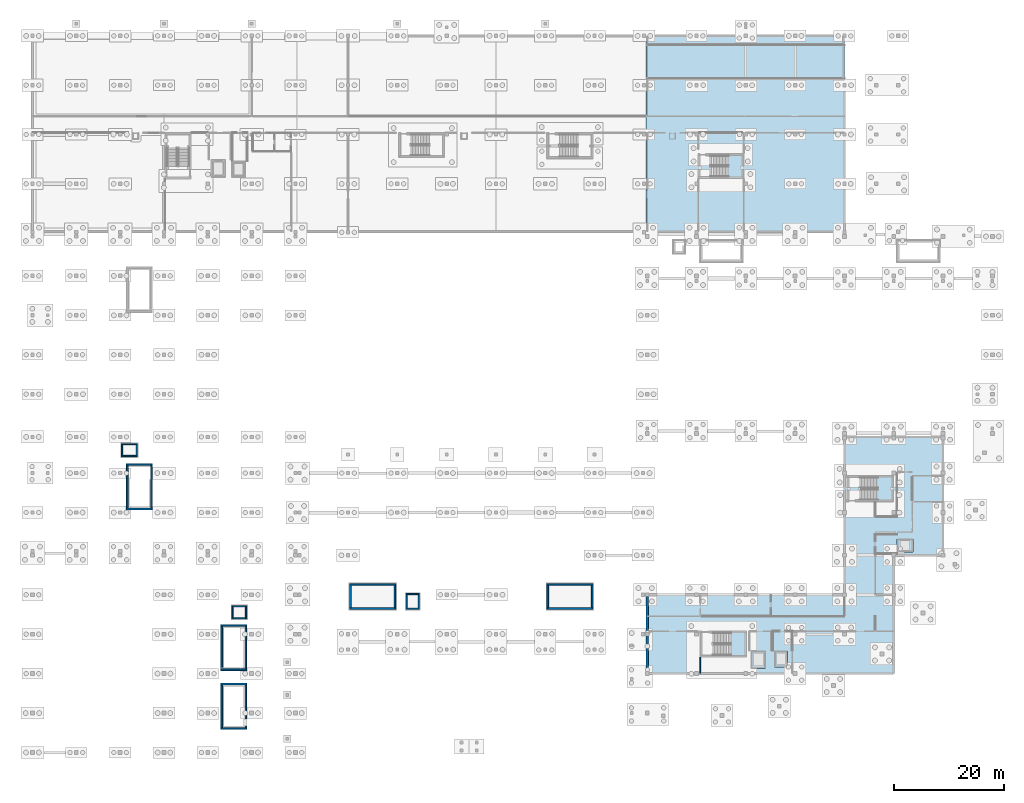
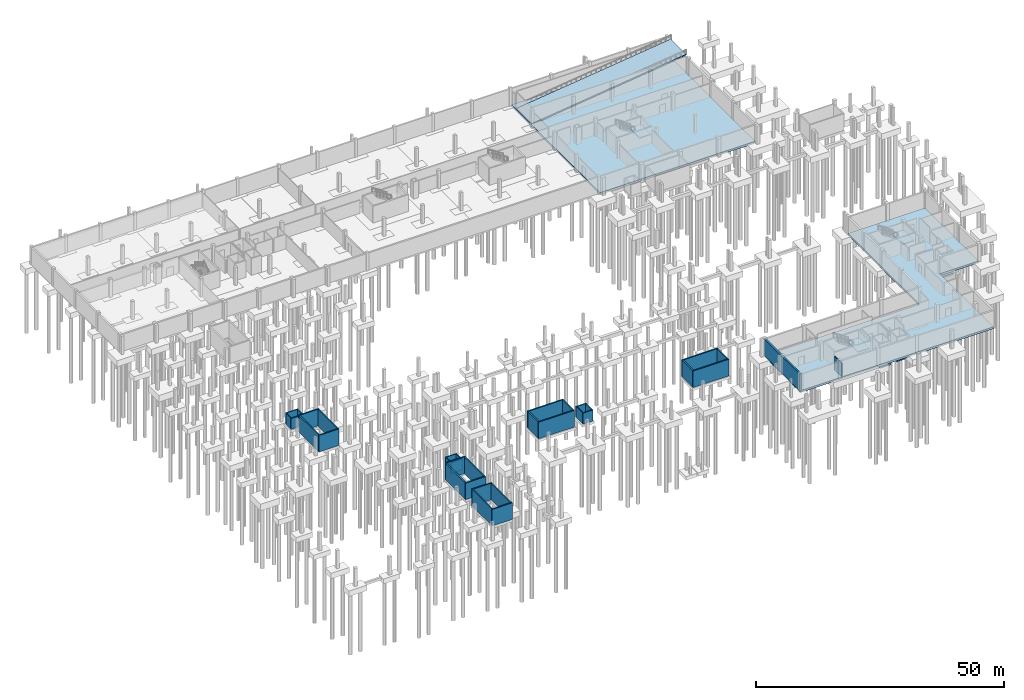
# One storey, part 17 of 36: 34 walls, 9 slabs, 3 elements without a shape of their own.
"""IFC4 building model written with IfcOpenShell, lengths in metres."""

from ifc_helpers import new_model, si_unit, direction, frame, frame_2d, origin, place, context, subcontext, project, spatial, polyline, rectangle, outline, extrude, material, layer, layer_set, type_object, element, aggregate, save


model = new_model("IFC4")

# Units and contexts
model_context = context("Model", 3, precision=1e-05, world=origin(), true_north=direction((0.0, 1.0)))
body_context = subcontext(model_context, "Body", "Model", "MODEL_VIEW")
ifc_project = project(units=[si_unit("LENGTHUNIT", "METRE"), si_unit("AREAUNIT", "SQUARE_METRE"), si_unit("VOLUMEUNIT", "CUBIC_METRE"), si_unit("PLANEANGLEUNIT", "RADIAN"), si_unit("MASSUNIT", "GRAM", prefix="KILO")], contexts=[model_context])

# Site, building, storey
site_placement = place(None, origin())
site = spatial("IfcSite", under=ifc_project, at=site_placement, CompositionType="ELEMENT")
building_placement = place(site_placement, origin())
building = spatial("IfcBuilding", under=site, at=building_placement, Name="Chiffa Square Polytechnic", CompositionType="ELEMENT")
storey_placement = place(building_placement, frame((0.0, 0.0, -4.5)))
storey = spatial("IfcBuildingStorey", under=building, at=storey_placement, Name="B1", CompositionType="ELEMENT", Elevation=-4.5)

# Slabs
ifc_material_1 = material(Name="Concrete C35/45", Category="concrete")
ifc_layer_1 = layer(ifc_material_1, 0.39990234375, Name="Concrete C35/45")
ifc_layer_set_1 = layer_set([ifc_layer_1], Name="Concrete C35/45")
slab_type_1 = type_object("IfcSlabType", Name="SLB-BASE-400", PredefinedType="BASESLAB", material=ifc_layer_set_1)
slab_1_placement = place(storey_placement, frame((0.0, 0.0, -1.800048828125)))
element("IfcSlab", 1, at=slab_1_placement, inside=storey, type_object=slab_type_1, Name="Lift pit base slab LF-V1", PredefinedType="BASESLAB", context=body_context, shape_type="SweptSolid", body=[
    extrude(outline(polyline([(131.199951171875, 15.35009765625), (133.800048828125, 15.35009765625), (133.800048828125, 18.550048828125), (131.199951171875, 18.550048828125), (131.199951171875, 15.35009765625)])), origin(), (0.0, 0.0, 1.0), 0.400146484375),
])
slab_2_placement = place(storey_placement, frame((0.0, 0.0, -1.800048828125)))
element("IfcSlab", 2, at=slab_2_placement, inside=storey, type_object=slab_type_1, Name="Lift pit base slab LP-V1A", PredefinedType="BASESLAB", context=body_context, shape_type="SweptSolid", body=[
    extrude(outline(polyline([(135.39990234375, 15.64990234375), (137.800048828125, 15.64990234375), (137.800048828125, 18.550048828125), (135.39990234375, 18.550048828125), (135.39990234375, 15.64990234375)])), origin(), (0.0, 0.0, 1.0), 0.400146484375),
])
slab_3_placement = place(storey_placement, frame((0.0, 0.0, -1.800048828125)))
element("IfcSlab", 3, at=slab_3_placement, inside=storey, type_object=slab_type_1, Name="Lift pit base slab LP-V1B", PredefinedType="BASESLAB", context=body_context, shape_type="SweptSolid", body=[
    extrude(outline(polyline([(157.800048828125, 36.60009765625), (160.699951171875, 36.60009765625), (160.699951171875, 39.0), (157.800048828125, 39.0), (157.800048828125, 36.60009765625)])), origin(), (0.0, 0.0, 1.0), 0.400146484375),
])
ifc_layer_2 = layer(ifc_material_1, 0.5, Name="Concrete C35/45")
ifc_layer_set_2 = layer_set([ifc_layer_2], Name="Concrete C35/45")
slab_type_2 = type_object("IfcSlabType", Name="SLB-BASE-500", PredefinedType="BASESLAB", material=ifc_layer_set_2)
slab_4_placement = place(storey_placement, frame((0.0, 0.0, -0.5)))
element("IfcSlab", 4, at=slab_4_placement, inside=storey, type_object=slab_type_2, Name="V1 B1 structural slab SLB-V1-B1-001", PredefinedType="BASESLAB", context=body_context, shape_type="SweptSolid", body=[
    extrude(outline(polyline([(112.199951171875, 28.800048828125), (148.199951171875, 28.800048828125), (148.199951171875, 57.60009765625), (166.199951171875, 57.60009765625), (166.199951171875, 36.0), (157.199951171875, 36.0), (157.199951171875, 14.39990234375), (112.199951171875, 14.39990234375), (112.199951171875, 28.800048828125)])), origin(), (0.0, 0.0, 1.0), 0.5),
])
slab_5_placement = place(storey_placement, frame((0.0, 0.0, -0.5)))
element("IfcSlab", 5, at=slab_5_placement, inside=storey, type_object=slab_type_2, Name="V5 B1 structural slab SLB-V5-B1-022", PredefinedType="BASESLAB", context=body_context, shape_type="SweptSolid", body=[
    extrude(outline(polyline([(148.199951171875, 130.800048828125), (148.199951171875, 95.050048828125), (111.949951171875, 95.050048828125), (111.949951171875, 130.800048828125), (148.199951171875, 130.800048828125)]), holes=[polyline([(112.195068359375, 129.205078125), (115.0, 129.205078125), (115.0, 122.9951171875), (112.195068359375, 122.9951171875), (112.195068359375, 129.205078125)])]), origin(), (0.0, 0.0, 1.0), 0.5),
])

# Stair, slab
stair_type_1 = type_object("IfcStairType", Name="STAIR-SPR-1850", PredefinedType="HALF_TURN_STAIR", material=ifc_material_1)
stair_1_placement = place(storey_placement, origin())
stair_1 = element("IfcStair", 6, at=stair_1_placement, inside=storey, type_object=stair_type_1, Name="B1 Enclosed exit stair ST-B1E", PredefinedType="HALF_TURN_STAIR")
ifc_layer_3 = layer(ifc_material_1, 0.199951171875, Name="Concrete C35/45")
ifc_layer_set_3 = layer_set([ifc_layer_3], Name="Concrete C35/45")
slab_type_3 = type_object("IfcSlabType", Name="SLB-LND-190", PredefinedType="LANDING", material=ifc_layer_set_3)
slab_6_placement = place(storey_placement, frame((0.0, 0.0, 2.050048828125)))
slab_6 = element("IfcSlab", 7, at=slab_6_placement, type_object=slab_type_3, Name="ST-B1E landing 1", PredefinedType="LANDING", context=body_context, shape_type="SweptSolid", body=[
    extrude(outline(polyline([(126.93994140625, 104.97998046875), (126.93994140625, 109.070068359375), (129.6201171875, 109.070068359375), (129.6201171875, 104.97998046875), (126.93994140625, 104.97998046875)])), origin(), (0.0, 0.0, 1.0), 0.199951171875),
])
aggregate(stair_1, [slab_6])

stair_type_2 = type_object("IfcStairType", Name="STAIR-DOG-1950", PredefinedType="HALF_TURN_STAIR", material=ifc_material_1)
stair_2_placement = place(storey_placement, origin())
stair_2 = element("IfcStair", 8, at=stair_2_placement, inside=storey, type_object=stair_type_2, Name="B1 Enclosed exit stair ST-V1A", PredefinedType="HALF_TURN_STAIR")
ifc_layer_4 = layer(ifc_material_1, 0.199951171875, Name="Concrete C35/45")
ifc_layer_set_4 = layer_set([ifc_layer_4], Name="Concrete C35/45")
slab_type_4 = type_object("IfcSlabType", Name="SLB-LND-200", PredefinedType="LANDING", material=ifc_layer_set_4)
slab_7_placement = place(storey_placement, frame((0.0, 0.0, 2.050048828125)))
slab_7 = element("IfcSlab", 9, at=slab_7_placement, type_object=slab_type_4, Name="ST-V1A landing 1", PredefinedType="LANDING", context=body_context, shape_type="SweptSolid", body=[
    extrude(outline(polyline([(127.43994140625, 17.6298828125), (127.43994140625, 21.969970703125), (130.1201171875, 21.969970703125), (130.1201171875, 17.6298828125), (127.43994140625, 17.6298828125)])), origin(), (0.0, 0.0, 1.0), 0.199951171875),
])
aggregate(stair_2, [slab_7])

stair_3_placement = place(storey_placement, origin())
stair_3 = element("IfcStair", 10, at=stair_3_placement, inside=storey, type_object=stair_type_2, Name="B1 Enclosed exit stair ST-V1B", PredefinedType="HALF_TURN_STAIR")
slab_8_placement = place(storey_placement, frame((0.0, 0.0, 2.050048828125)))
slab_8 = element("IfcSlab", 11, at=slab_8_placement, type_object=slab_type_4, Name="ST-V1B landing 1", PredefinedType="LANDING", context=body_context, shape_type="SweptSolid", body=[
    extrude(outline(polyline([(154.239990234375, 45.97998046875), (154.239990234375, 50.320068359375), (156.919921875, 50.320068359375), (156.919921875, 45.97998046875), (154.239990234375, 45.97998046875)])), origin(), (0.0, 0.0, 1.0), 0.199951171875),
])
aggregate(stair_3, [slab_8])

# Slab
ifc_layer_5 = layer(ifc_material_1, 0.300048828125, Name="Concrete C35/45")
ifc_layer_set_5 = layer_set([ifc_layer_5], Name="Concrete C35/45")
slab_type_5 = type_object("IfcSlabType", Name="SLB-RAMP-VEH-300", PredefinedType="FLOOR", material=ifc_layer_set_5)
slab_9_placement = place(storey_placement, frame((112.199951171875, 123.0, 0.0), z_axis=(-0.124034734589, 0.0, 0.992277876714), x_axis=(0.992277876714, 0.0, 0.124034734589)))
element("IfcSlab", 12, at=slab_9_placement, inside=storey, type_object=slab_type_5, Name="Basement car park vehicle ramp structural slab SLB-RAMP-VEH-B1", PredefinedType="FLOOR", context=body_context, shape_type="SweptSolid", body=[
    extrude(outline(polyline([(0.0, 0.0), (36.28015986734348, 0.0), (36.28015986734348, 6.199951171875002), (0.0, 6.199951171875002), (0.0, 0.0)])), origin(), (0.0, 0.0, -1.0), 0.300048828125),
])

# Walls
ifc_material_2 = material(Name="Concrete C40/50", Category="concrete")
ifc_layer_6 = layer(ifc_material_2, 0.300048828125, Name="Concrete C40/50")
ifc_layer_set_6 = layer_set([ifc_layer_6], Name="Concrete C40/50")
wall_type_1 = type_object("IfcWallType", Name="WL-CORE-300", PredefinedType="SHEAR", material=ifc_layer_set_6)
for number, where, z_axis, x_axis, name in (
    (13, (34.39990234375, 4.39990234375, 0.0), (0.0, 0.0, 1.0), (1.0, 0.0, 0.0), "Core or enclosure wall WCSUB-CORE-V3A-B1-SOUTH"),
    (14, (34.39990234375, 12.5, 0.0), (0.0, 0.0, 1.0), (1.0, 0.0, 0.0), "Core or enclosure wall WCSUB-CORE-V3A-B1-NORTH"),
):
    element("IfcWall", number, at=place(storey_placement, frame(where, z_axis=z_axis, x_axis=x_axis)), inside=storey, type_object=wall_type_1, Name=name, PredefinedType="SHEAR", context=body_context, shape_type="SweptSolid", body=[
        extrude(rectangle(XDim=4.7001953125, YDim=0.300048828125, at=frame_2d((2.35009765625, 0.0))), origin(), (0.0, 0.0, 1.0), 4.10009765625),
    ])
for number, where, z_axis, x_axis, name in (
    (15, (34.550048828125, 4.550048828125, 0.0), (0.0, 0.0, 1.0), (0.0, 1.0, 0.0), "Core or enclosure wall WCSUB-CORE-V3A-B1-WEST"),
    (16, (38.949951171875, 4.550048828125, 0.0), (0.0, 0.0, 1.0), (0.0, 1.0, 0.0), "Core or enclosure wall WCSUB-CORE-V3A-B1-EAST"),
):
    element("IfcWall", number, at=place(storey_placement, frame(where, z_axis=z_axis, x_axis=x_axis)), inside=storey, type_object=wall_type_1, Name=name, PredefinedType="SHEAR", context=body_context, shape_type="SweptSolid", body=[
        extrude(rectangle(XDim=7.800048828125, YDim=0.300048828125, at=frame_2d((3.89990234375, 0.0))), origin(), (0.0, 0.0, 1.0), 4.10009765625),
    ])
for number, where, z_axis, x_axis, name in (
    (17, (34.39990234375, 15.10009765625, 0.0), (0.0, 0.0, 1.0), (1.0, 0.0, 0.0), "Core or enclosure wall WCSUB-CORE-V3B-B1-SOUTH"),
    (18, (34.39990234375, 23.199951171875, 0.0), (0.0, 0.0, 1.0), (1.0, 0.0, 0.0), "Core or enclosure wall WCSUB-CORE-V3B-B1-NORTH"),
):
    element("IfcWall", number, at=place(storey_placement, frame(where, z_axis=z_axis, x_axis=x_axis)), inside=storey, type_object=wall_type_1, Name=name, PredefinedType="SHEAR", context=body_context, shape_type="SweptSolid", body=[
        extrude(rectangle(XDim=4.7001953125, YDim=0.300048828125, at=frame_2d((2.35009765625, 0.0))), origin(), (0.0, 0.0, 1.0), 4.10009765625),
    ])
for number, where, z_axis, x_axis, name in (
    (19, (34.550048828125, 15.25, 0.0), (0.0, 0.0, 1.0), (0.0, 1.0, 0.0), "Core or enclosure wall WCSUB-CORE-V3B-B1-WEST"),
    (20, (38.949951171875, 15.25, 0.0), (0.0, 0.0, 1.0), (0.0, 1.0, 0.0), "Core or enclosure wall WCSUB-CORE-V3B-B1-EAST"),
):
    element("IfcWall", number, at=place(storey_placement, frame(where, z_axis=z_axis, x_axis=x_axis)), inside=storey, type_object=wall_type_1, Name=name, PredefinedType="SHEAR", context=body_context, shape_type="SweptSolid", body=[
        extrude(rectangle(XDim=7.800048828125, YDim=0.300048828125, at=frame_2d((3.89990234375, 0.0))), origin(), (0.0, 0.0, 1.0), 4.10009765625),
    ])
for number, where, z_axis, x_axis, name in (
    (21, (57.89990234375, 26.300048828125, 0.0), (0.0, 0.0, 1.0), (1.0, 0.0, 0.0), "Core or enclosure wall WCSUB-CORE-V4A-B1-SOUTH"),
    (22, (57.89990234375, 30.699951171875, 0.0), (0.0, 0.0, 1.0), (1.0, 0.0, 0.0), "Core or enclosure wall WCSUB-CORE-V4A-B1-NORTH"),
):
    element("IfcWall", number, at=place(storey_placement, frame(where, z_axis=z_axis, x_axis=x_axis)), inside=storey, type_object=wall_type_1, Name=name, PredefinedType="SHEAR", context=body_context, shape_type="SweptSolid", body=[
        extrude(rectangle(XDim=8.400146484375, YDim=0.300048828125, at=frame_2d((4.2001953125, 0.0))), origin(), (0.0, 0.0, 1.0), 4.10009765625),
    ])
for number, where, z_axis, x_axis, name in (
    (23, (58.050048828125, 26.449951171875, 0.0), (0.0, 0.0, 1.0), (0.0, 1.0, 0.0), "Core or enclosure wall WCSUB-CORE-V4A-B1-WEST"),
    (24, (66.14990234375, 26.449951171875, 0.0), (0.0, 0.0, 1.0), (0.0, 1.0, 0.0), "Core or enclosure wall WCSUB-CORE-V4A-B1-EAST"),
):
    element("IfcWall", number, at=place(storey_placement, frame(where, z_axis=z_axis, x_axis=x_axis)), inside=storey, type_object=wall_type_1, Name=name, PredefinedType="SHEAR", context=body_context, shape_type="SweptSolid", body=[
        extrude(rectangle(XDim=4.10009765625, YDim=0.300048828125, at=frame_2d((2.050048828125, 0.0))), origin(), (0.0, 0.0, 1.0), 4.10009765625),
    ])
for number, where, z_axis, x_axis, name in (
    (25, (93.89990234375, 26.300048828125, 0.0), (0.0, 0.0, 1.0), (1.0, 0.0, 0.0), "Core or enclosure wall WCSUB-CORE-V4B-B1-SOUTH"),
    (26, (93.89990234375, 30.699951171875, 0.0), (0.0, 0.0, 1.0), (1.0, 0.0, 0.0), "Core or enclosure wall WCSUB-CORE-V4B-B1-NORTH"),
):
    element("IfcWall", number, at=place(storey_placement, frame(where, z_axis=z_axis, x_axis=x_axis)), inside=storey, type_object=wall_type_1, Name=name, PredefinedType="SHEAR", context=body_context, shape_type="SweptSolid", body=[
        extrude(rectangle(XDim=8.400146484375, YDim=0.300048828125, at=frame_2d((4.2001953125, 0.0))), origin(), (0.0, 0.0, 1.0), 4.10009765625),
    ])
for number, where, z_axis, x_axis, name in (
    (27, (94.050048828125, 26.449951171875, 0.0), (0.0, 0.0, 1.0), (0.0, 1.0, 0.0), "Core or enclosure wall WCSUB-CORE-V4B-B1-WEST"),
    (28, (102.14990234375, 26.449951171875, 0.0), (0.0, 0.0, 1.0), (0.0, 1.0, 0.0), "Core or enclosure wall WCSUB-CORE-V4B-B1-EAST"),
):
    element("IfcWall", number, at=place(storey_placement, frame(where, z_axis=z_axis, x_axis=x_axis)), inside=storey, type_object=wall_type_1, Name=name, PredefinedType="SHEAR", context=body_context, shape_type="SweptSolid", body=[
        extrude(rectangle(XDim=4.10009765625, YDim=0.300048828125, at=frame_2d((2.050048828125, 0.0))), origin(), (0.0, 0.0, 1.0), 4.10009765625),
    ])
for number, where, z_axis, x_axis, name in (
    (29, (17.14990234375, 44.449951171875, 0.0), (0.0, 0.0, 1.0), (1.0, 0.0, 0.0), "Core or enclosure wall WCSUB-CORE-V6A-B1-SOUTH"),
    (30, (17.14990234375, 52.550048828125, 0.0), (0.0, 0.0, 1.0), (1.0, 0.0, 0.0), "Core or enclosure wall WCSUB-CORE-V6A-B1-NORTH"),
):
    element("IfcWall", number, at=place(storey_placement, frame(where, z_axis=z_axis, x_axis=x_axis)), inside=storey, type_object=wall_type_1, Name=name, PredefinedType="SHEAR", context=body_context, shape_type="SweptSolid", body=[
        extrude(rectangle(XDim=4.7001953125, YDim=0.300048828125, at=frame_2d((2.35009765625, 0.0))), origin(), (0.0, 0.0, 1.0), 4.10009765625),
    ])
for number, where, z_axis, x_axis, name in (
    (31, (17.300048828125, 44.60009765625, 0.0), (0.0, 0.0, 1.0), (0.0, 1.0, 0.0), "Core or enclosure wall WCSUB-CORE-V6A-B1-WEST"),
    (32, (21.699951171875, 44.60009765625, 0.0), (0.0, 0.0, 1.0), (0.0, 1.0, 0.0), "Core or enclosure wall WCSUB-CORE-V6A-B1-EAST"),
):
    element("IfcWall", number, at=place(storey_placement, frame(where, z_axis=z_axis, x_axis=x_axis)), inside=storey, type_object=wall_type_1, Name=name, PredefinedType="SHEAR", context=body_context, shape_type="SweptSolid", body=[
        extrude(rectangle(XDim=7.7998046875, YDim=0.300048828125, at=frame_2d((3.89990234375, 0.0))), origin(), (0.0, 0.0, 1.0), 4.10009765625),
    ])
ifc_material_3 = material(Name="Autoclaved aerated concrete blockwork", Category="masonry")
ifc_layer_7 = layer(ifc_material_3, 0.199951171875, Name="Autoclaved aerated concrete blockwork")
ifc_layer_set_7 = layer_set([ifc_layer_7], Name="Autoclaved aerated concrete blockwork")
wall_type_2 = type_object("IfcWallType", Name="WL-PART-EI120-200", PredefinedType="PARTITIONING", material=ifc_layer_set_7)
wall_1_placement = place(storey_placement, frame((121.89990234375, 14.455078125, 0.0), z_axis=(0.0, 0.0, 1.0), x_axis=(0.0, 1.0, 0.0)))
element("IfcWall", 33, at=wall_1_placement, inside=storey, type_object=wall_type_2, Name="Interior partition WP-V1-B1-0022", PredefinedType="PARTITIONING", context=body_context, shape_type="SweptSolid", body=[
    extrude(rectangle(XDim=2.905029296875, YDim=0.199951171875, at=frame_2d((1.45263671875, 0.0))), origin(), (0.0, 0.0, 1.0), 3.3349609375),
])
ifc_layer_8 = layer(ifc_material_1, 0.39990234375, Name="Concrete C35/45")
ifc_layer_set_8 = layer_set([ifc_layer_8], Name="Concrete C35/45")
wall_type_3 = type_object("IfcWallType", Name="WL-RET-400", PredefinedType="USERDEFINED", material=ifc_layer_set_8)
wall_2_placement = place(storey_placement, frame((112.199951171875, 28.800048828125, 0.0), z_axis=(0.0, 0.0, 1.0), x_axis=(0.0, -1.0, 0.0)))
element("IfcWall", 34, at=wall_2_placement, inside=storey, type_object=wall_type_3, Name="Basement retaining wall WE-V1-B1-0008", ObjectType="RETAININGWALL", PredefinedType="USERDEFINED", context=body_context, shape_type="SweptSolid", body=[
    extrude(rectangle(XDim=14.400146484375, YDim=0.39990234375, at=frame_2d((7.2001953125, 0.0))), origin(), (0.0, 0.0, 1.0), 4.14990234375),
])
ifc_layer_9 = layer(ifc_material_1, 0.219970703125, Name="Concrete C35/45")
ifc_layer_set_9 = layer_set([ifc_layer_9], Name="Concrete C35/45")
wall_type_4 = type_object("IfcWallType", Name="WL-SHAFT-220", PredefinedType="SHEAR", material=ifc_layer_set_9)
for number, where, z_axis, x_axis, name in (
    (35, (36.39990234375, 24.510009765625, 0.0), (0.0, 0.0, 1.0), (1.0, 0.0, 0.0), "Core or enclosure wall WSSUB-PIT-LP-V3-B1-SOUTH"),
    (36, (36.39990234375, 26.68994140625, 0.0), (0.0, 0.0, 1.0), (1.0, 0.0, 0.0), "Core or enclosure wall WSSUB-PIT-LP-V3-B1-NORTH"),
):
    element("IfcWall", number, at=place(storey_placement, frame(where, z_axis=z_axis, x_axis=x_axis)), inside=storey, type_object=wall_type_4, Name=name, PredefinedType="SHEAR", context=body_context, shape_type="SweptSolid", body=[
        extrude(rectangle(XDim=2.7001953125, YDim=0.219970703125, at=frame_2d((1.35009765625, 0.0))), origin(), (0.0, 0.0, 1.0), 2.699951171875),
    ])
for number, where, z_axis, x_axis, name in (
    (37, (36.510009765625, 24.6201171875, 0.0), (0.0, 0.0, 1.0), (0.0, 1.0, 0.0), "Core or enclosure wall WSSUB-PIT-LP-V3-B1-WEST"),
    (38, (38.989990234375, 24.6201171875, 0.0), (0.0, 0.0, 1.0), (0.0, 1.0, 0.0), "Core or enclosure wall WSSUB-PIT-LP-V3-B1-EAST"),
):
    element("IfcWall", number, at=place(storey_placement, frame(where, z_axis=z_axis, x_axis=x_axis)), inside=storey, type_object=wall_type_4, Name=name, PredefinedType="SHEAR", context=body_context, shape_type="SweptSolid", body=[
        extrude(rectangle(XDim=1.9599609375, YDim=0.219970703125, at=frame_2d((0.97998046875, 0.0))), origin(), (0.0, 0.0, 1.0), 2.699951171875),
    ])
for number, where, z_axis, x_axis, name in (
    (39, (68.199951171875, 26.260009765625, 0.0), (0.0, 0.0, 1.0), (1.0, 0.0, 0.0), "Core or enclosure wall WSSUB-PIT-LP-V4-B1-SOUTH"),
    (40, (68.199951171875, 28.93994140625, 0.0), (0.0, 0.0, 1.0), (1.0, 0.0, 0.0), "Core or enclosure wall WSSUB-PIT-LP-V4-B1-NORTH"),
):
    element("IfcWall", number, at=place(storey_placement, frame(where, z_axis=z_axis, x_axis=x_axis)), inside=storey, type_object=wall_type_4, Name=name, PredefinedType="SHEAR", context=body_context, shape_type="SweptSolid", body=[
        extrude(rectangle(XDim=2.400146484375, YDim=0.219970703125, at=frame_2d((1.2001953125, 0.0))), origin(), (0.0, 0.0, 1.0), 2.699951171875),
    ])
for number, where, z_axis, x_axis, name in (
    (41, (68.31005859375, 26.3701171875, 0.0), (0.0, 0.0, 1.0), (0.0, 1.0, 0.0), "Core or enclosure wall WSSUB-PIT-LP-V4-B1-WEST"),
    (42, (70.489990234375, 26.3701171875, 0.0), (0.0, 0.0, 1.0), (0.0, 1.0, 0.0), "Core or enclosure wall WSSUB-PIT-LP-V4-B1-EAST"),
):
    element("IfcWall", number, at=place(storey_placement, frame(where, z_axis=z_axis, x_axis=x_axis)), inside=storey, type_object=wall_type_4, Name=name, PredefinedType="SHEAR", context=body_context, shape_type="SweptSolid", body=[
        extrude(rectangle(XDim=2.4599609375, YDim=0.219970703125, at=frame_2d((1.22998046875, 0.0))), origin(), (0.0, 0.0, 1.0), 2.699951171875),
    ])
for number, where, z_axis, x_axis, name in (
    (43, (16.25, 54.110107421875, 0.0), (0.0, 0.0, 1.0), (1.0, 0.0, 0.0), "Core or enclosure wall WSSUB-PIT-LP-V6A-B1-SOUTH"),
    (44, (16.25, 56.2900390625, 0.0), (0.0, 0.0, 1.0), (1.0, 0.0, 0.0), "Core or enclosure wall WSSUB-PIT-LP-V6A-B1-NORTH"),
):
    element("IfcWall", number, at=place(storey_placement, frame(where, z_axis=z_axis, x_axis=x_axis)), inside=storey, type_object=wall_type_4, Name=name, PredefinedType="SHEAR", context=body_context, shape_type="SweptSolid", body=[
        extrude(rectangle(XDim=2.89990234375, YDim=0.219970703125, at=frame_2d((1.449951171875, 0.0))), origin(), (0.0, 0.0, 1.0), 2.699951171875),
    ])
for number, where, z_axis, x_axis, name in (
    (45, (16.360107421875, 54.219970703125, 0.0), (0.0, 0.0, 1.0), (0.0, 1.0, 0.0), "Core or enclosure wall WSSUB-PIT-LP-V6A-B1-WEST"),
    (46, (19.0400390625, 54.219970703125, 0.0), (0.0, 0.0, 1.0), (0.0, 1.0, 0.0), "Core or enclosure wall WSSUB-PIT-LP-V6A-B1-EAST"),
):
    element("IfcWall", number, at=place(storey_placement, frame(where, z_axis=z_axis, x_axis=x_axis)), inside=storey, type_object=wall_type_4, Name=name, PredefinedType="SHEAR", context=body_context, shape_type="SweptSolid", body=[
        extrude(rectangle(XDim=1.9599609375, YDim=0.219970703125, at=frame_2d((0.97998046875, 0.0))), origin(), (0.0, 0.0, 1.0), 2.699951171875),
    ])

save(model, "model.ifc")
